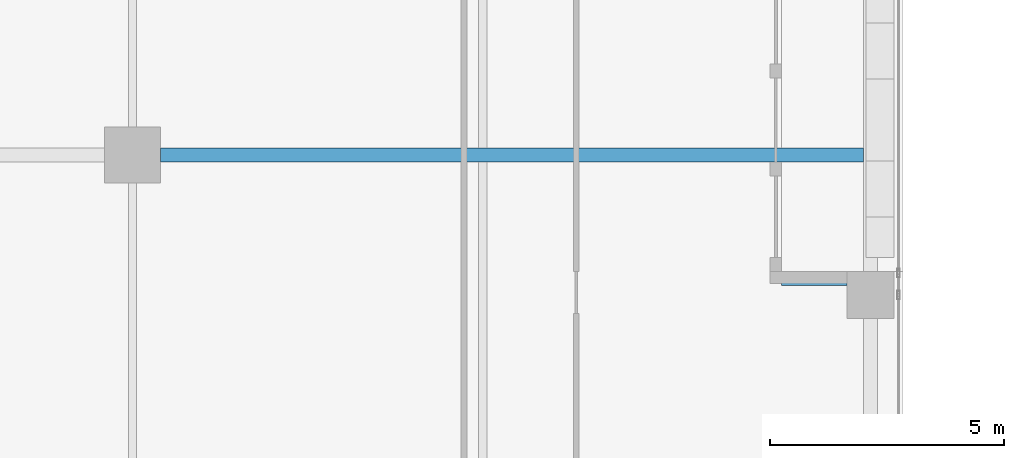
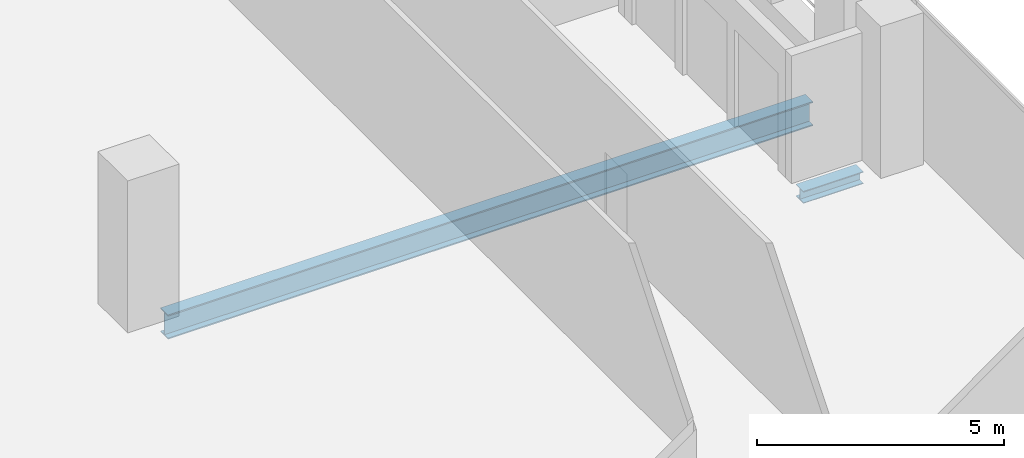
# One storey, part 13 of 40: 2 beams.
"""IFC4 building model written with IfcOpenShell, lengths in metres."""

from ifc_helpers import new_model, si_unit, direction, frame, origin, origin_2d, place, context, subcontext, project, spatial, i_section, extrude, source, transform, mapped, material, material_profile, profile_set, type_object, element, save


model = new_model("IFC4")

# Units and contexts
model_context = context("Model", 3, precision=1e-05, world=origin(), true_north=direction((0.0, 1.0)))
body_context = subcontext(model_context, "Body", "Model", "MODEL_VIEW")
ifc_project = project(units=[si_unit("LENGTHUNIT", "METRE"), si_unit("AREAUNIT", "SQUARE_METRE"), si_unit("VOLUMEUNIT", "CUBIC_METRE"), si_unit("PLANEANGLEUNIT", "RADIAN"), si_unit("MASSUNIT", "GRAM", prefix="KILO")], contexts=[model_context])

# Site, building, storey
site_placement = place(None, origin())
site = spatial("IfcSite", under=ifc_project, at=site_placement, CompositionType="ELEMENT")
building_placement = place(site_placement, origin())
building = spatial("IfcBuilding", under=site, at=building_placement, Name="Khomas Fold Tower", CompositionType="ELEMENT")
storey_placement = place(building_placement, frame((0.0, 0.0, 204.699951171875)))
storey = spatial("IfcBuildingStorey", under=building, at=storey_placement, Name="L45", CompositionType="ELEMENT", Elevation=204.699951171875)

# Beams
ifc_material_1 = material(Name="Steel S355", Category="steel")
ifc_material_profile_1 = material_profile(ifc_material_1, i_section(OverallWidth=0.300048828125, OverallDepth=0.60009765625, WebThickness=0.015380859375, FlangeThickness=0.030029296875, at=origin_2d()), Name="HE 600 B")
ifc_profile_set_1 = profile_set([ifc_material_profile_1], Name="Steel S355")
beam_type_1 = type_object("IfcBeamType", Name="HE 600 B beam GB5", PredefinedType="BEAM", material=ifc_profile_set_1)
shared_shape_1 = source(origin(), body_context, "Body", "SweptSolid", [
    extrude(i_section(OverallWidth=0.300048828125, OverallDepth=0.60009765625, WebThickness=0.015380859375, FlangeThickness=0.030029296875, at=origin_2d()), origin(), (0.0, 0.0, 1.0), 15.0498046875),
])
beam_1_placement = place(storey_placement, frame((35.10009765625, 22.5, -0.550048828125), z_axis=(1.0, 0.0, 0.0), x_axis=(0.0, 1.0, 0.0)))
element("IfcBeam", 1, at=beam_1_placement, inside=storey, type_object=beam_type_1, Name="GB5", PredefinedType="BEAM", context=body_context, shape_type="MappedRepresentation", body=[
    mapped(shared_shape_1, transform((0.0, 0.0, 0.0))),
])
ifc_material_2 = material(Name="Steel S355", Category="steel")
ifc_material_profile_2 = material_profile(ifc_material_2, i_section(OverallWidth=0.300048828125, OverallDepth=0.300048828125, WebThickness=0.010986328125, FlangeThickness=0.01904296875, at=origin_2d()), Name="HE 300 B")
ifc_profile_set_2 = profile_set([ifc_material_profile_2], Name="Steel S355")
beam_type_2 = type_object("IfcBeamType", Name="HE 300 B beam BB1", PredefinedType="BEAM", material=ifc_profile_set_2)
shared_shape_2 = source(origin(), body_context, "Body", "SweptSolid", [
    extrude(i_section(OverallWidth=0.300048828125, OverallDepth=0.300048828125, WebThickness=0.010986328125, FlangeThickness=0.01904296875, at=origin_2d()), origin(), (0.0, 0.0, 1.0), 1.400146484375),
])
beam_2_placement = place(storey_placement, frame((48.39990234375, 19.85009765625, -0.39990234375), z_axis=(1.0, 0.0, 0.0), x_axis=(0.0, 1.0, 0.0)))
element("IfcBeam", 2, at=beam_2_placement, inside=storey, type_object=beam_type_2, Name="BB1", PredefinedType="BEAM", context=body_context, shape_type="MappedRepresentation", body=[
    mapped(shared_shape_2, transform((0.0, 0.0, 0.0))),
])

save(model, "model.ifc")
